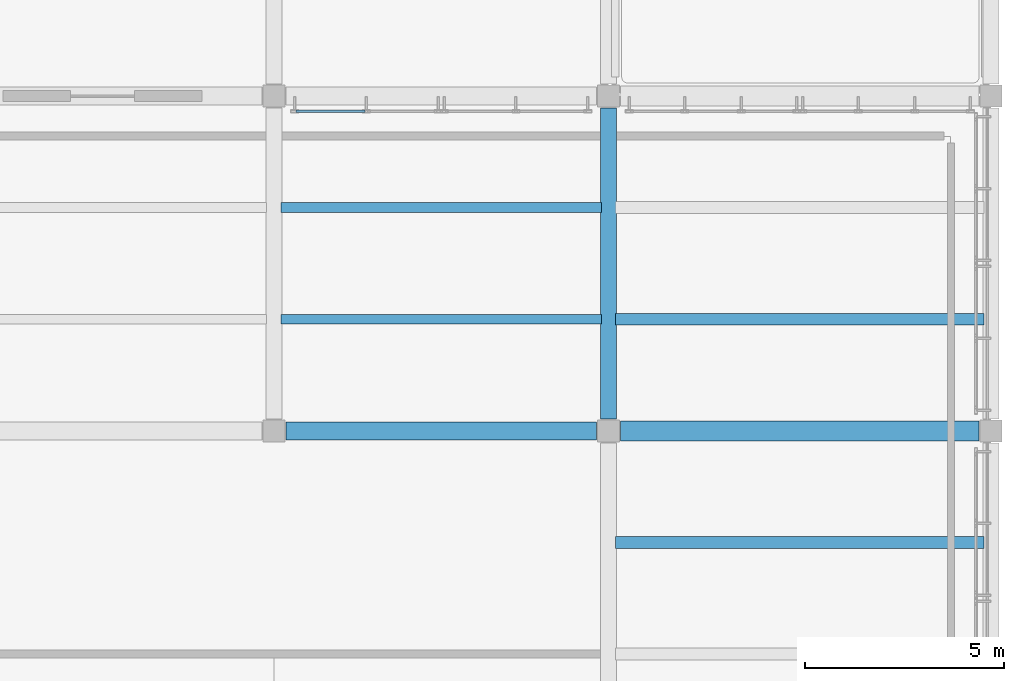
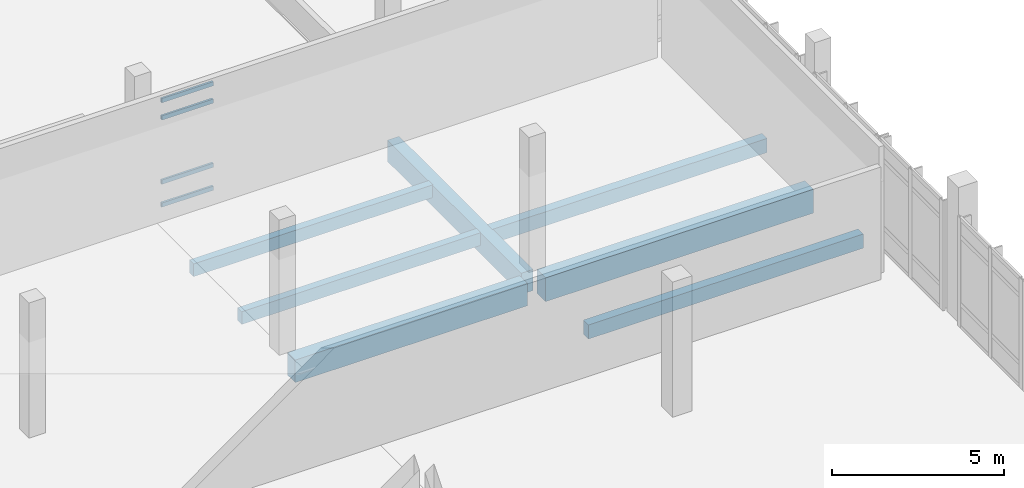
# One storey, part 26 of 63: 7 beams, 4 members, 1 element without a shape of its own.
"""IFC4 building model written with IfcOpenShell, lengths in metres."""

from ifc_helpers import new_model, si_unit, derived_unit, direction, frame, origin, origin_2d, place, context, subcontext, project, spatial, rectangle, hollow_rectangle, extrude, material, layer, layer_set, material_profile, profile_set, type_object, element, aggregate, save


model = new_model("IFC4")

# Units and contexts
model_context = context("Model", 3, precision=1e-05, world=origin(), true_north=direction((0.0, 1.0)))
body_context = subcontext(model_context, "Body", "Model", "MODEL_VIEW")
ifc_project = project(units=[si_unit("LENGTHUNIT", "METRE"), si_unit("AREAUNIT", "SQUARE_METRE"), si_unit("VOLUMEUNIT", "CUBIC_METRE"), si_unit("PLANEANGLEUNIT", "RADIAN"), si_unit("MASSUNIT", "GRAM", prefix="KILO"), derived_unit("THERMALTRANSMITTANCEUNIT", [(si_unit("POWERUNIT", "WATT"), 1), (si_unit("LENGTHUNIT", "METRE"), -2), (si_unit("THERMODYNAMICTEMPERATUREUNIT", "KELVIN"), -1)])], contexts=[model_context])

# Site, building, storey
site_placement = place(None, origin())
site = spatial("IfcSite", under=ifc_project, at=site_placement, CompositionType="ELEMENT")
building_placement = place(site_placement, origin())
building = spatial("IfcBuilding", under=site, at=building_placement, Name="Elbkamm Science Centre", CompositionType="ELEMENT")
storey_placement = place(building_placement, frame((0.0, 0.0, 5.10009765625)))
storey = spatial("IfcBuildingStorey", under=building, at=storey_placement, Name="L01", CompositionType="ELEMENT", Elevation=5.10009765625)

# Beams
ifc_material_1 = material(Name="Concrete C40/50", Category="concrete")
ifc_material_profile_1 = material_profile(ifc_material_1, rectangle(XDim=0.39990234375, YDim=0.75, at=origin_2d()), Name="RC 400x750")
ifc_profile_set_1 = profile_set([ifc_material_profile_1], Name="Concrete C40/50")
beam_type_1 = type_object("IfcBeamType", Name="BM-RC-400x750", PredefinedType="BEAM", material=ifc_profile_set_1)
beam_1_placement = place(storey_placement, frame((151.199951171875, 67.5, -0.775146484375), z_axis=(0.0, 1.0, 0.0), x_axis=(-1.0, 0.0, 0.0)))
element("IfcBeam", 1, at=beam_1_placement, inside=storey, type_object=beam_type_1, Name="L01 Primary Y-Girder 068", PredefinedType="BEAM", context=body_context, shape_type="SweptSolid", body=[
    extrude(rectangle(XDim=0.39990234375, YDim=0.75, at=origin_2d()), origin(), (0.0, 0.0, 1.0), 7.800048828125),
])
ifc_material_profile_2 = material_profile(ifc_material_1, rectangle(XDim=0.449951171875, YDim=0.800048828125, at=origin_2d()), Name="RC 450x800")
ifc_profile_set_2 = profile_set([ifc_material_profile_2], Name="Concrete C40/50")
beam_type_2 = type_object("IfcBeamType", Name="BM-RC-450x800", PredefinedType="BEAM", material=ifc_profile_set_2)
beam_2_placement = place(storey_placement, frame((143.10009765625, 67.199951171875, -0.800048828125), z_axis=(1.0, 0.0, 0.0), x_axis=(0.0, 1.0, 0.0)))
element("IfcBeam", 2, at=beam_2_placement, inside=storey, type_object=beam_type_2, Name="L01 Primary X-Girder 070", PredefinedType="BEAM", context=body_context, shape_type="SweptSolid", body=[
    extrude(rectangle(XDim=0.449951171875, YDim=0.800048828125, at=origin_2d()), origin(), (0.0, 0.0, 1.0), 7.7998046875),
])
ifc_material_profile_3 = material_profile(ifc_material_1, rectangle(XDim=0.5, YDim=0.85009765625, at=origin_2d()), Name="RC 500x850")
ifc_profile_set_3 = profile_set([ifc_material_profile_3], Name="Concrete C40/50")
beam_type_3 = type_object("IfcBeamType", Name="BM-RC-500x850", PredefinedType="BEAM", material=ifc_profile_set_3)
beam_3_placement = place(storey_placement, frame((151.5, 67.199951171875, -0.8251953125), z_axis=(1.0, 0.0, 0.0), x_axis=(0.0, 1.0, 0.0)))
element("IfcBeam", 3, at=beam_3_placement, inside=storey, type_object=beam_type_3, Name="L01 Primary X-Girder 071", PredefinedType="BEAM", context=body_context, shape_type="SweptSolid", body=[
    extrude(rectangle(XDim=0.5, YDim=0.85009765625, at=origin_2d()), origin(), (0.0, 0.0, 1.0), 9.0),
])

# Curtain wall, members
ifc_material_2 = material(Name="Powder-coated aluminium and triple low-E glazing", Category="aluminium")
ifc_layer = layer(ifc_material_2, 0.159912109375)
ifc_layer_set = layer_set([ifc_layer], Name="Powder-coated aluminium and triple low-E glazing")
curtain_wall_type = type_object("IfcCurtainWallType", Name="CW-UNIT-3680x3780", PredefinedType="USERDEFINED", material=ifc_layer_set)
curtain_wall_placement = place(storey_placement, origin())
curtain_wall = element("IfcCurtainWall", 4, at=curtain_wall_placement, inside=storey, type_object=curtain_wall_type, Name="L01 Unitised Curtain Wall 161", ObjectType="UNITISED CURTAIN WALL", PredefinedType="USERDEFINED")
ifc_material_3 = material(Name="Powder-coated aluminium EN AW-6060", Category="aluminium")
ifc_material_profile_4 = material_profile(ifc_material_3, hollow_rectangle(XDim=0.070068359375, YDim=0.14990234375, WallThickness=0.00390625, at=origin_2d()), Name="ALU T70x150")
ifc_profile_set_4 = profile_set([ifc_material_profile_4], Name="Powder-coated aluminium EN AW-6060")
member_type = type_object("IfcMemberType", Name="CW-TRN-70x150", PredefinedType="USERDEFINED", material=ifc_profile_set_4)
member_1_placement = place(storey_placement, frame((143.356201171875, 75.219970703125, 0.034912109375), z_axis=(1.0, 0.0, 0.0), x_axis=(0.0, 1.0, 0.0)))
member_1 = element("IfcMember", 5, at=member_1_placement, type_object=member_type, Name="CW-075 transom 1.1", ObjectType="TRANSOM", PredefinedType="USERDEFINED", context=body_context, shape_type="SweptSolid", body=[
    extrude(hollow_rectangle(XDim=0.070068359375, YDim=0.14990234375, WallThickness=0.00390625, at=origin_2d()), origin(), (0.0, 0.0, 1.0), 1.73193359375),
])
member_2_placement = place(storey_placement, frame((143.356201171875, 75.219970703125, 0.849853515625), z_axis=(1.0, 0.0, 0.0), x_axis=(0.0, 1.0, 0.0)))
member_2 = element("IfcMember", 6, at=member_2_placement, type_object=member_type, Name="CW-075 transom 1.2", ObjectType="TRANSOM", PredefinedType="USERDEFINED", context=body_context, shape_type="SweptSolid", body=[
    extrude(hollow_rectangle(XDim=0.070068359375, YDim=0.14990234375, WallThickness=0.00390625, at=origin_2d()), origin(), (0.0, 0.0, 1.0), 1.73193359375),
])
member_3_placement = place(storey_placement, frame((143.356201171875, 75.219970703125, 3.1298828125), z_axis=(1.0, 0.0, 0.0), x_axis=(0.0, 1.0, 0.0)))
member_3 = element("IfcMember", 7, at=member_3_placement, type_object=member_type, Name="CW-075 transom 1.3", ObjectType="TRANSOM", PredefinedType="USERDEFINED", context=body_context, shape_type="SweptSolid", body=[
    extrude(hollow_rectangle(XDim=0.070068359375, YDim=0.14990234375, WallThickness=0.00390625, at=origin_2d()), origin(), (0.0, 0.0, 1.0), 1.73193359375),
])
member_4_placement = place(storey_placement, frame((143.356201171875, 75.219970703125, 3.744873046875), z_axis=(1.0, 0.0, 0.0), x_axis=(0.0, 1.0, 0.0)))
member_4 = element("IfcMember", 8, at=member_4_placement, type_object=member_type, Name="CW-075 transom 1.4", ObjectType="TRANSOM", PredefinedType="USERDEFINED", context=body_context, shape_type="SweptSolid", body=[
    extrude(hollow_rectangle(XDim=0.070068359375, YDim=0.14990234375, WallThickness=0.00390625, at=origin_2d()), origin(), (0.0, 0.0, 1.0), 1.73193359375),
])
aggregate(curtain_wall, [member_1, member_2, member_3, member_4])

# Beams
ifc_material_profile_5 = material_profile(ifc_material_1, rectangle(XDim=0.25, YDim=0.449951171875, at=origin_2d()), Name="RC 250x450")
ifc_profile_set_5 = profile_set([ifc_material_profile_5], Name="Concrete C40/50")
beam_type_4 = type_object("IfcBeamType", Name="JST-RC-250x450", PredefinedType="JOIST", material=ifc_profile_set_5)
for number, where, z_axis, x_axis, name in (
    (9, (142.97998046875, 70.0, -0.625), (1.0, 0.0, 0.0), (0.0, 1.0, 0.0), "L01 Secondary Floor Joist 079"),
    (10, (142.97998046875, 72.800048828125, -0.625), (1.0, 0.0, 0.0), (0.0, 1.0, 0.0), "L01 Secondary Floor Joist 080"),
):
    element("IfcBeam", number, at=place(storey_placement, frame(where, z_axis=z_axis, x_axis=x_axis)), inside=storey, type_object=beam_type_4, Name=name, PredefinedType="JOIST", context=body_context, shape_type="SweptSolid", body=[
        extrude(rectangle(XDim=0.25, YDim=0.449951171875, at=origin_2d()), origin(), (0.0, 0.0, 1.0), 8.0400390625),
    ])
ifc_material_profile_6 = material_profile(ifc_material_1, rectangle(XDim=0.300048828125, YDim=0.5, at=origin_2d()), Name="RC 300x500")
ifc_profile_set_6 = profile_set([ifc_material_profile_6], Name="Concrete C40/50")
beam_type_5 = type_object("IfcBeamType", Name="JST-RC-300x500", PredefinedType="JOIST", material=ifc_profile_set_6)
for number, where, z_axis, x_axis, name in (
    (11, (151.3798828125, 64.39990234375, -0.650146484375), (1.0, 0.0, 0.0), (0.0, 1.0, 0.0), "L01 Secondary Floor Joist 094"),
    (12, (151.3798828125, 70.0, -0.650146484375), (1.0, 0.0, 0.0), (0.0, 1.0, 0.0), "L01 Secondary Floor Joist 095"),
):
    element("IfcBeam", number, at=place(storey_placement, frame(where, z_axis=z_axis, x_axis=x_axis)), inside=storey, type_object=beam_type_5, Name=name, PredefinedType="JOIST", context=body_context, shape_type="SweptSolid", body=[
        extrude(rectangle(XDim=0.300048828125, YDim=0.5, at=origin_2d()), origin(), (0.0, 0.0, 1.0), 9.240234375),
    ])

save(model, "model.ifc")
